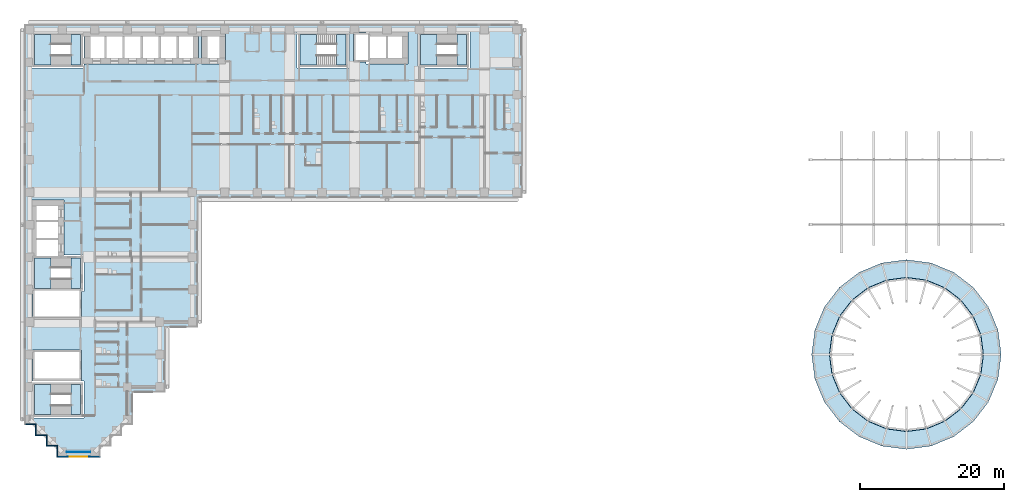
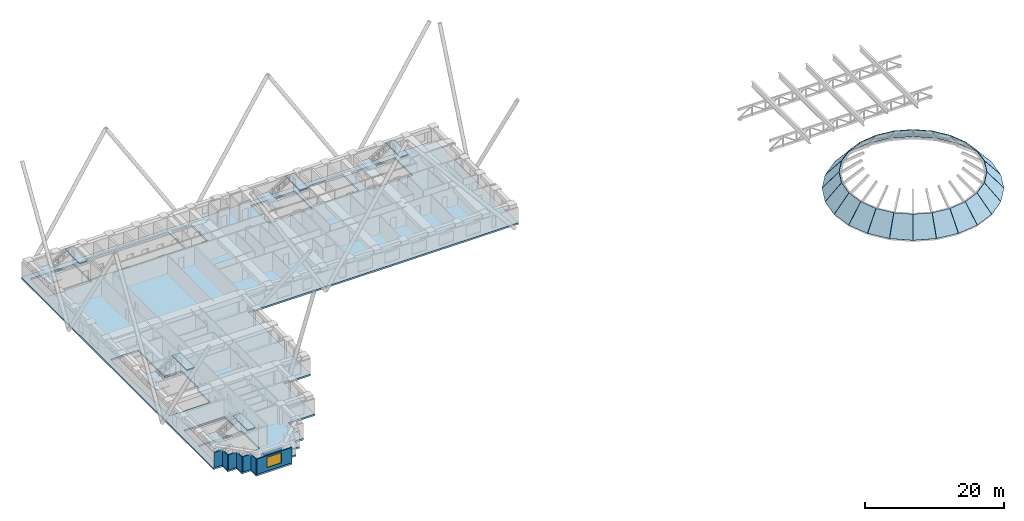
# One storey, part 7 of 20: 35 slabs, 8 walls, 1 window, 1 opening, 5 elements without a shape of their own.
"""IFC4 building model written with IfcOpenShell, lengths in metres."""

from ifc_helpers import new_model, si_unit, direction, frame, frame_2d, origin, place, context, subcontext, project, spatial, polyline, rectangle, outline, extrude, material, layer, layer_set, type_object, element, fill, aggregate, save


model = new_model("IFC4")

# Units and contexts
model_context = context("Model", 3, precision=1e-05, world=origin(), true_north=direction((0.0, 1.0)))
body_context = subcontext(model_context, "Body", "Model", "MODEL_VIEW")
ifc_project = project(units=[si_unit("LENGTHUNIT", "METRE"), si_unit("AREAUNIT", "SQUARE_METRE"), si_unit("VOLUMEUNIT", "CUBIC_METRE"), si_unit("PLANEANGLEUNIT", "RADIAN"), si_unit("MASSUNIT", "GRAM", prefix="KILO")], contexts=[model_context])

# Site, building, storey
site_placement = place(None, origin())
site = spatial("IfcSite", under=ifc_project, at=site_placement, CompositionType="ELEMENT")
building_placement = place(site_placement, origin())
building = spatial("IfcBuilding", under=site, at=building_placement, Name="Firuza Court", CompositionType="ELEMENT")
storey_placement = place(building_placement, frame((0.0, 0.0, 29.0)))
storey = spatial("IfcBuildingStorey", under=building, at=storey_placement, Name="L05", CompositionType="ELEMENT", Elevation=29.0)

# Slabs
ifc_material_1 = material(Name="Concrete C40/50", Category="concrete")
ifc_layer_1 = layer(ifc_material_1, 0.300048828125)
ifc_layer_set_1 = layer_set([ifc_layer_1], Name="Concrete C40/50")
slab_type_1 = type_object("IfcSlabType", Name="Floor slab 300 C40/50", PredefinedType="FLOOR", material=ifc_layer_set_1)
slab_1_placement = place(storey_placement, frame((0.0, 0.0, -0.300048828125)))
element("IfcSlab", 1, at=slab_1_placement, inside=storey, type_object=slab_type_1, Name="Floor slab L05", PredefinedType="FLOOR", context=body_context, shape_type="SweptSolid", body=[
    extrude(outline(polyline([(3.75, -0.75), (3.75, 0.75), (2.25, 0.75), (2.25, 2.25), (0.75, 2.25), (0.75, 3.75), (-0.75, 3.75), (-0.75, 59.25), (68.25, 59.25), (68.25, 35.25), (23.25, 35.25), (23.25, 17.25), (18.75, 17.25), (18.75, 8.25), (14.25, 8.25), (14.25, 3.75), (12.75, 3.75), (12.75, 2.25), (11.25, 2.25), (11.25, 0.75), (9.75, 0.75), (9.75, -0.75), (3.75, -0.75)]), holes=[polyline([(7.5, 9.800048828125), (0.199951171875, 9.800048828125), (0.199951171875, 4.699951171875), (7.5, 4.699951171875), (7.5, 9.800048828125)]), polyline([(7.14990234375, 14.14990234375), (0.35009765625, 14.14990234375), (0.35009765625, 9.85009765625), (7.14990234375, 9.85009765625), (7.14990234375, 14.14990234375)]), polyline([(0.199951171875, 22.199951171875), (0.35009765625, 22.199951171875), (0.35009765625, 18.35009765625), (7.14990234375, 18.35009765625), (7.14990234375, 22.199951171875), (7.5, 22.199951171875), (7.5, 27.300048828125), (4.699951171875, 27.300048828125), (4.699951171875, 29.10009765625), (4.699951171875, 29.89990234375), (4.699951171875, 31.60009765625), (4.699951171875, 32.39990234375), (4.699951171875, 34.89990234375), (0.10009765625, 34.89990234375), (0.10009765625, 32.39990234375), (0.10009765625, 31.60009765625), (0.10009765625, 29.89990234375), (0.10009765625, 29.10009765625), (0.10009765625, 26.60009765625), (0.199951171875, 26.60009765625), (0.199951171875, 22.199951171875)]), polyline([(7.5, 58.300048828125), (0.199951171875, 58.300048828125), (0.199951171875, 53.199951171875), (7.5, 53.199951171875), (7.5, 58.300048828125)]), polyline([(10.10009765625, 58.39990234375), (7.60009765625, 58.39990234375), (7.60009765625, 53.800048828125), (10.10009765625, 53.800048828125), (10.89990234375, 53.800048828125), (12.60009765625, 53.800048828125), (13.39990234375, 53.800048828125), (15.10009765625, 53.800048828125), (15.89990234375, 53.800048828125), (17.60009765625, 53.800048828125), (18.39990234375, 53.800048828125), (20.10009765625, 53.800048828125), (20.89990234375, 53.800048828125), (23.39990234375, 53.800048828125), (23.39990234375, 58.39990234375), (20.89990234375, 58.39990234375), (20.10009765625, 58.39990234375), (18.39990234375, 58.39990234375), (17.60009765625, 58.39990234375), (15.89990234375, 58.39990234375), (15.10009765625, 58.39990234375), (13.39990234375, 58.39990234375), (12.60009765625, 58.39990234375), (10.89990234375, 58.39990234375), (10.10009765625, 58.39990234375)]), polyline([(44.300048828125, 58.300048828125), (37.0, 58.300048828125), (37.0, 53.199951171875), (44.300048828125, 53.199951171875), (44.300048828125, 58.300048828125)]), polyline([(61.0, 58.300048828125), (53.699951171875, 58.300048828125), (53.699951171875, 53.199951171875), (61.0, 53.199951171875), (61.0, 58.300048828125)]), polyline([(27.10009765625, 58.39990234375), (23.800048828125, 58.39990234375), (23.800048828125, 53.800048828125), (27.10009765625, 53.800048828125), (27.10009765625, 58.39990234375)]), polyline([(46.60009765625, 58.14990234375), (44.85009765625, 58.14990234375), (44.85009765625, 54.050048828125), (46.60009765625, 54.050048828125), (46.60009765625, 53.800048828125), (49.10009765625, 53.800048828125), (49.89990234375, 53.800048828125), (52.39990234375, 53.800048828125), (52.39990234375, 58.39990234375), (49.89990234375, 58.39990234375), (49.10009765625, 58.39990234375), (46.60009765625, 58.39990234375), (46.60009765625, 58.14990234375)])]), origin(), (0.0, 0.0, 1.0), 0.300048828125),
])
ifc_material_2 = material(Name="Steel S355", Category="steel")
ifc_layer_2 = layer(ifc_material_2, 0.080078125)
ifc_material_3 = material(Name="Ceramic tile", Category="ceramic")
ifc_layer_3 = layer(ifc_material_3, 0.02001953125)
ifc_layer_set_2 = layer_set([ifc_layer_2, ifc_layer_3], Name="Steel S355")
slab_type_2 = type_object("IfcSlabType", Name="HALL DOME PANEL 100", PredefinedType="ROOF", material=ifc_layer_set_2)
slab_2_placement = place(storey_placement, frame((134.63916015625, 13.510009765625, 0.621337890625), z_axis=(0.760146925438, 0.100082325297, 0.641997024846), x_axis=(-0.645236511294, -1.870931e-06, 0.763982882328)))
element("IfcSlab", 2, at=slab_2_placement, inside=storey, type_object=slab_type_2, Name="Dome roof panel 1.1", PredefinedType="ROOF", context=body_context, shape_type="SweptSolid", body=[
    extrude(outline(polyline([(0.0, 0.0), (3.8171194959320127, -2.7755575615628914e-17), (4.050256461555315, -2.757504913404332), (0.2871680296792395, -3.3981585227188598), (0.0, 0.0)])), origin(), (0.0, 0.0, -1.0), 0.10009765625),
])
slab_3_placement = place(storey_placement, frame((134.18896484375, 16.910400390625, 0.621337890625), z_axis=(0.708339851681, 0.293384088124, 0.642012796879), x_axis=(-0.623267661838, -0.166993820454, 0.763970212532)))
element("IfcSlab", 3, at=slab_3_placement, inside=storey, type_object=slab_type_2, Name="Dome roof panel 1.2", PredefinedType="ROOF", context=body_context, shape_type="SweptSolid", body=[
    extrude(outline(polyline([(0.0, 0.0), (3.817233500615017, -8.326672684688674e-17), (4.050270501449582, -2.7571714527879085), (0.2871851561441, -3.3980686719132294), (0.0, 0.0)])), origin(), (0.0, 0.0, -1.0), 0.10009765625),
])
slab_4_placement = place(storey_placement, frame((132.8740234375, 20.078369140625, 0.621337890625), z_axis=(0.60826118731, 0.466755770117, 0.641994843495), x_axis=(-0.558770225352, -0.3226463791, 0.763986354141)))
element("IfcSlab", 4, at=slab_4_placement, inside=storey, type_object=slab_type_2, Name="Dome roof panel 1.3", PredefinedType="ROOF", context=body_context, shape_type="SweptSolid", body=[
    extrude(outline(polyline([(0.0, 0.0), (3.8172713480651295, -1.6653345369377348e-16), (4.050170680995732, -2.757535853578586), (0.2872405931610955, -3.3980510649738447), (0.0, 0.0)])), origin(), (0.0, 0.0, -1.0), 0.10009765625),
])
slab_5_placement = place(storey_placement, frame((130.78369140625, 22.7978515625, 0.621337890625), z_axis=(0.466755770117, 0.60826118731, 0.641994843495), x_axis=(-0.456246013938, -0.456250832997, 0.763986094216)))
element("IfcSlab", 5, at=slab_5_placement, inside=storey, type_object=slab_type_2, Name="Dome roof panel 1.4", PredefinedType="ROOF", context=body_context, shape_type="SweptSolid", body=[
    extrude(outline(polyline([(0.0, 0.0), (3.8170541759267573, 5.551115123125783e-17), (4.050181533268407, -2.7575165853190797), (0.2870373526973159, -3.398068238968419), (0.0, 0.0)])), origin(), (0.0, 0.0, -1.0), 0.10009765625),
])
slab_6_placement = place(storey_placement, frame((128.06103515625, 24.884033203125, 0.621337890625), z_axis=(0.293384088124, 0.708339851681, 0.642012796879), x_axis=(-0.322661426488, -0.558788893141, 0.763966345305)))
element("IfcSlab", 6, at=slab_6_placement, inside=storey, type_object=slab_type_2, Name="Dome roof panel 1.5", PredefinedType="ROOF", context=body_context, shape_type="SweptSolid", body=[
    extrude(outline(polyline([(0.0, 0.0), (3.8172713502625726, -1.3877787807814457e-16), (4.050455033661913, -2.7571590512015933), (0.28740700072984493, -3.3980499155955792), (0.0, 0.0)])), origin(), (0.0, 0.0, -1.0), 0.10009765625),
])
slab_7_placement = place(storey_placement, frame((124.89111328125, 26.194091796875, 0.621337890625), z_axis=(0.100082325297, 0.760146925438, 0.641997024846), x_axis=(-0.166991102408, -0.623251406785, 0.763984067672)))
element("IfcSlab", 7, at=slab_7_placement, inside=storey, type_object=slab_type_2, Name="Dome roof panel 1.6", PredefinedType="ROOF", context=body_context, shape_type="SweptSolid", body=[
    extrude(outline(polyline([(0.0, 0.0), (3.8172334999639816, 1.942890293094024e-16), (4.050200767254202, -2.7575192555194246), (0.2872247223342545, -3.398153731318919), (0.0, 0.0)])), origin(), (0.0, 0.0, -1.0), 0.10009765625),
])
slab_8_placement = place(storey_placement, frame((121.489990234375, 26.63916015625, 0.621337890625), z_axis=(-0.100082325297, 0.760146925438, 0.641997024846), x_axis=(1.870931e-06, -0.645236511294, 0.763982882328)))
element("IfcSlab", 8, at=slab_8_placement, inside=storey, type_object=slab_type_2, Name="Dome roof panel 1.7", PredefinedType="ROOF", context=body_context, shape_type="SweptSolid", body=[
    extrude(outline(polyline([(0.0, 0.0), (3.8171194959320127, -2.7755575615628914e-17), (4.050256461555315, -2.757504913404332), (0.2871680296792395, -3.3981585227188598), (0.0, 0.0)])), origin(), (0.0, 0.0, -1.0), 0.10009765625),
])
slab_9_placement = place(storey_placement, frame((118.089599609375, 26.18896484375, 0.621337890625), z_axis=(-0.293384088124, 0.708339851681, 0.642012796879), x_axis=(0.166993820454, -0.623267661838, 0.763970212532)))
element("IfcSlab", 9, at=slab_9_placement, inside=storey, type_object=slab_type_2, Name="Dome roof panel 1.8", PredefinedType="ROOF", context=body_context, shape_type="SweptSolid", body=[
    extrude(outline(polyline([(0.0, 0.0), (3.817233500615017, -8.326672684688674e-17), (4.050270501449582, -2.7571714527879085), (0.2871851561441, -3.3980686719132294), (0.0, 0.0)])), origin(), (0.0, 0.0, -1.0), 0.10009765625),
])
slab_10_placement = place(storey_placement, frame((114.921630859375, 24.8740234375, 0.621337890625), z_axis=(-0.466755770117, 0.60826118731, 0.641994843495), x_axis=(0.3226463791, -0.558770225352, 0.763986354141)))
element("IfcSlab", 10, at=slab_10_placement, inside=storey, type_object=slab_type_2, Name="Dome roof panel 1.9", PredefinedType="ROOF", context=body_context, shape_type="SweptSolid", body=[
    extrude(outline(polyline([(0.0, 0.0), (3.8172713480651295, -1.6653345369377348e-16), (4.050170680995732, -2.757535853578586), (0.2872405931610955, -3.3980510649738447), (0.0, 0.0)])), origin(), (0.0, 0.0, -1.0), 0.10009765625),
])
slab_11_placement = place(storey_placement, frame((112.2021484375, 22.78369140625, 0.621337890625), z_axis=(-0.60826118731, 0.466755770117, 0.641994843495), x_axis=(0.456250832997, -0.456246013938, 0.763986094216)))
element("IfcSlab", 11, at=slab_11_placement, inside=storey, type_object=slab_type_2, Name="Dome roof panel 1.10", PredefinedType="ROOF", context=body_context, shape_type="SweptSolid", body=[
    extrude(outline(polyline([(0.0, 0.0), (3.8170541759267573, 5.551115123125783e-17), (4.050181533268407, -2.7575165853190797), (0.2870373526973159, -3.398068238968419), (0.0, 0.0)])), origin(), (0.0, 0.0, -1.0), 0.10009765625),
])
slab_12_placement = place(storey_placement, frame((110.115966796875, 20.06103515625, 0.621337890625), z_axis=(-0.708339851681, 0.293384088124, 0.642012796879), x_axis=(0.558788893141, -0.322661426488, 0.763966345305)))
element("IfcSlab", 12, at=slab_12_placement, inside=storey, type_object=slab_type_2, Name="Dome roof panel 1.11", PredefinedType="ROOF", context=body_context, shape_type="SweptSolid", body=[
    extrude(outline(polyline([(0.0, 0.0), (3.8172713502625726, -1.3877787807814457e-16), (4.050455033661913, -2.7571590512015933), (0.28740700072984493, -3.3980499155955792), (0.0, 0.0)])), origin(), (0.0, 0.0, -1.0), 0.10009765625),
])
slab_13_placement = place(storey_placement, frame((108.805908203125, 16.89111328125, 0.621337890625), z_axis=(-0.760146925438, 0.100082325297, 0.641997024846), x_axis=(0.623251406785, -0.166991102408, 0.763984067672)))
element("IfcSlab", 13, at=slab_13_placement, inside=storey, type_object=slab_type_2, Name="Dome roof panel 1.12", PredefinedType="ROOF", context=body_context, shape_type="SweptSolid", body=[
    extrude(outline(polyline([(0.0, 0.0), (3.8172334999639816, 1.942890293094024e-16), (4.050200767254202, -2.7575192555194246), (0.2872247223342545, -3.398153731318919), (0.0, 0.0)])), origin(), (0.0, 0.0, -1.0), 0.10009765625),
])
slab_14_placement = place(storey_placement, frame((108.36083984375, 13.489990234375, 0.621337890625), z_axis=(-0.760146925438, -0.100082325297, 0.641997024846), x_axis=(0.645236511294, 1.870931e-06, 0.763982882328)))
element("IfcSlab", 14, at=slab_14_placement, inside=storey, type_object=slab_type_2, Name="Dome roof panel 1.13", PredefinedType="ROOF", context=body_context, shape_type="SweptSolid", body=[
    extrude(outline(polyline([(0.0, 0.0), (3.8171194959320127, -2.7755575615628914e-17), (4.050256461555315, -2.757504913404332), (0.2871680296792395, -3.3981585227188598), (0.0, 0.0)])), origin(), (0.0, 0.0, -1.0), 0.10009765625),
])
slab_15_placement = place(storey_placement, frame((108.81103515625, 10.089599609375, 0.621337890625), z_axis=(-0.708339851681, -0.293384088124, 0.642012796879), x_axis=(0.623267661838, 0.166993820454, 0.763970212532)))
element("IfcSlab", 15, at=slab_15_placement, inside=storey, type_object=slab_type_2, Name="Dome roof panel 1.14", PredefinedType="ROOF", context=body_context, shape_type="SweptSolid", body=[
    extrude(outline(polyline([(0.0, 0.0), (3.817233500615017, -8.326672684688674e-17), (4.050270501449582, -2.7571714527879085), (0.2871851561441, -3.3980686719132294), (0.0, 0.0)])), origin(), (0.0, 0.0, -1.0), 0.10009765625),
])
slab_16_placement = place(storey_placement, frame((110.1259765625, 6.921630859375, 0.621337890625), z_axis=(-0.60826118731, -0.466755770117, 0.641994843495), x_axis=(0.558770225352, 0.3226463791, 0.763986354141)))
element("IfcSlab", 16, at=slab_16_placement, inside=storey, type_object=slab_type_2, Name="Dome roof panel 1.15", PredefinedType="ROOF", context=body_context, shape_type="SweptSolid", body=[
    extrude(outline(polyline([(0.0, 0.0), (3.8172713480651295, -1.6653345369377348e-16), (4.050170680995732, -2.757535853578586), (0.2872405931610955, -3.3980510649738447), (0.0, 0.0)])), origin(), (0.0, 0.0, -1.0), 0.10009765625),
])
slab_17_placement = place(storey_placement, frame((112.21630859375, 4.2021484375, 0.621337890625), z_axis=(-0.466755770117, -0.60826118731, 0.641994843495), x_axis=(0.456246013938, 0.456250832997, 0.763986094216)))
element("IfcSlab", 17, at=slab_17_placement, inside=storey, type_object=slab_type_2, Name="Dome roof panel 1.16", PredefinedType="ROOF", context=body_context, shape_type="SweptSolid", body=[
    extrude(outline(polyline([(0.0, 0.0), (3.8170541759267573, 5.551115123125783e-17), (4.050181533268407, -2.7575165853190797), (0.2870373526973159, -3.398068238968419), (0.0, 0.0)])), origin(), (0.0, 0.0, -1.0), 0.10009765625),
])
slab_18_placement = place(storey_placement, frame((114.93896484375, 2.115966796875, 0.621337890625), z_axis=(-0.293384088124, -0.708339851681, 0.642012796879), x_axis=(0.322661426488, 0.558788893141, 0.763966345305)))
element("IfcSlab", 18, at=slab_18_placement, inside=storey, type_object=slab_type_2, Name="Dome roof panel 1.17", PredefinedType="ROOF", context=body_context, shape_type="SweptSolid", body=[
    extrude(outline(polyline([(0.0, 0.0), (3.8172713502625726, -1.3877787807814457e-16), (4.050455033661913, -2.7571590512015933), (0.28740700072984493, -3.3980499155955792), (0.0, 0.0)])), origin(), (0.0, 0.0, -1.0), 0.10009765625),
])
slab_19_placement = place(storey_placement, frame((118.10888671875, 0.805908203125, 0.621337890625), z_axis=(-0.100082325297, -0.760146925438, 0.641997024846), x_axis=(0.166991102408, 0.623251406785, 0.763984067672)))
element("IfcSlab", 19, at=slab_19_placement, inside=storey, type_object=slab_type_2, Name="Dome roof panel 1.18", PredefinedType="ROOF", context=body_context, shape_type="SweptSolid", body=[
    extrude(outline(polyline([(0.0, 0.0), (3.8172334999639816, 1.942890293094024e-16), (4.050200767254202, -2.7575192555194246), (0.2872247223342545, -3.398153731318919), (0.0, 0.0)])), origin(), (0.0, 0.0, -1.0), 0.10009765625),
])
slab_20_placement = place(storey_placement, frame((121.510009765625, 0.36083984375, 0.621337890625), z_axis=(0.100082325297, -0.760146925438, 0.641997024846), x_axis=(-1.870931e-06, 0.645236511294, 0.763982882328)))
element("IfcSlab", 20, at=slab_20_placement, inside=storey, type_object=slab_type_2, Name="Dome roof panel 1.19", PredefinedType="ROOF", context=body_context, shape_type="SweptSolid", body=[
    extrude(outline(polyline([(0.0, 0.0), (3.8171194959320127, -2.7755575615628914e-17), (4.050256461555315, -2.757504913404332), (0.2871680296792395, -3.3981585227188598), (0.0, 0.0)])), origin(), (0.0, 0.0, -1.0), 0.10009765625),
])
slab_21_placement = place(storey_placement, frame((124.910400390625, 0.81103515625, 0.621337890625), z_axis=(0.293384088124, -0.708339851681, 0.642012796879), x_axis=(-0.166993820454, 0.623267661838, 0.763970212532)))
element("IfcSlab", 21, at=slab_21_placement, inside=storey, type_object=slab_type_2, Name="Dome roof panel 1.20", PredefinedType="ROOF", context=body_context, shape_type="SweptSolid", body=[
    extrude(outline(polyline([(0.0, 0.0), (3.817233500615017, -8.326672684688674e-17), (4.050270501449582, -2.7571714527879085), (0.2871851561441, -3.3980686719132294), (0.0, 0.0)])), origin(), (0.0, 0.0, -1.0), 0.10009765625),
])
slab_22_placement = place(storey_placement, frame((128.078369140625, 2.1259765625, 0.621337890625), z_axis=(0.466755770117, -0.60826118731, 0.641994843495), x_axis=(-0.3226463791, 0.558770225352, 0.763986354141)))
element("IfcSlab", 22, at=slab_22_placement, inside=storey, type_object=slab_type_2, Name="Dome roof panel 1.21", PredefinedType="ROOF", context=body_context, shape_type="SweptSolid", body=[
    extrude(outline(polyline([(0.0, 0.0), (3.8172713480651295, -1.6653345369377348e-16), (4.050170680995732, -2.757535853578586), (0.2872405931610955, -3.3980510649738447), (0.0, 0.0)])), origin(), (0.0, 0.0, -1.0), 0.10009765625),
])
slab_23_placement = place(storey_placement, frame((130.7978515625, 4.21630859375, 0.621337890625), z_axis=(0.60826118731, -0.466755770117, 0.641994843495), x_axis=(-0.456250832997, 0.456246013938, 0.763986094216)))
element("IfcSlab", 23, at=slab_23_placement, inside=storey, type_object=slab_type_2, Name="Dome roof panel 1.22", PredefinedType="ROOF", context=body_context, shape_type="SweptSolid", body=[
    extrude(outline(polyline([(0.0, 0.0), (3.8170541759267573, 5.551115123125783e-17), (4.050181533268407, -2.7575165853190797), (0.2870373526973159, -3.398068238968419), (0.0, 0.0)])), origin(), (0.0, 0.0, -1.0), 0.10009765625),
])
slab_24_placement = place(storey_placement, frame((132.884033203125, 6.93896484375, 0.621337890625), z_axis=(0.708339851681, -0.293384088124, 0.642012796879), x_axis=(-0.558788893141, 0.322661426488, 0.763966345305)))
element("IfcSlab", 24, at=slab_24_placement, inside=storey, type_object=slab_type_2, Name="Dome roof panel 1.23", PredefinedType="ROOF", context=body_context, shape_type="SweptSolid", body=[
    extrude(outline(polyline([(0.0, 0.0), (3.8172713502625726, -1.3877787807814457e-16), (4.050455033661913, -2.7571590512015933), (0.28740700072984493, -3.3980499155955792), (0.0, 0.0)])), origin(), (0.0, 0.0, -1.0), 0.10009765625),
])
slab_25_placement = place(storey_placement, frame((134.194091796875, 10.10888671875, 0.621337890625), z_axis=(0.760146925438, -0.100082325297, 0.641997024846), x_axis=(-0.623251406785, 0.166991102408, 0.763984067672)))
element("IfcSlab", 25, at=slab_25_placement, inside=storey, type_object=slab_type_2, Name="Dome roof panel 1.24", PredefinedType="ROOF", context=body_context, shape_type="SweptSolid", body=[
    extrude(outline(polyline([(0.0, 0.0), (3.8172334999639816, 1.942890293094024e-16), (4.050200767254202, -2.7575192555194246), (0.2872247223342545, -3.398153731318919), (0.0, 0.0)])), origin(), (0.0, 0.0, -1.0), 0.10009765625),
])

# Stair, slabs
ifc_material_4 = material(Name="Concrete C40/50 precast", Category="concrete")
stair_type = type_object("IfcStairType", Name="Stair 1350 x 3600 2 flights", PredefinedType="HALF_TURN_STAIR", material=ifc_material_4)
stair_1_placement = place(storey_placement, origin())
stair_1 = element("IfcStair", 26, at=stair_1_placement, inside=storey, type_object=stair_type, Name="Stair 1 L05", PredefinedType="HALF_TURN_STAIR")
ifc_material_5 = material(Name="Concrete C40/50 precast", Category="concrete")
ifc_layer_4 = layer(ifc_material_5, 0.199951171875)
ifc_layer_set_3 = layer_set([ifc_layer_4], Name="Concrete C40/50 precast")
slab_type_3 = type_object("IfcSlabType", Name="Stair landing 200", PredefinedType="LANDING", material=ifc_layer_set_3)
slab_26_placement = place(storey_placement, frame((0.0, 0.0, 1.60009765625)))
slab_26 = element("IfcSlab", 27, at=slab_26_placement, type_object=slab_type_3, Name="S1 landing 1", PredefinedType="LANDING", context=body_context, shape_type="SweptSolid", body=[
    extrude(outline(polyline([(39.699951171875, 53.64990234375), (39.699951171875, 57.85009765625), (37.449951171875, 57.85009765625), (37.449951171875, 53.64990234375), (39.699951171875, 53.64990234375)])), origin(), (0.0, 0.0, 1.0), 0.199951171875),
])
slab_27_placement = place(storey_placement, frame((0.0, 0.0, 3.39990234375)))
slab_27 = element("IfcSlab", 28, at=slab_27_placement, type_object=slab_type_3, Name="S1 landing 2", PredefinedType="LANDING", context=body_context, shape_type="SweptSolid", body=[
    extrude(outline(polyline([(43.85009765625, 53.64990234375), (43.85009765625, 57.85009765625), (42.5, 57.85009765625), (42.5, 53.64990234375), (43.85009765625, 53.64990234375)])), origin(), (0.0, 0.0, 1.0), 0.2001953125),
])
aggregate(stair_1, [slab_26, slab_27])

stair_2_placement = place(storey_placement, origin())
stair_2 = element("IfcStair", 29, at=stair_2_placement, inside=storey, type_object=stair_type, Name="Stair 2 L05", PredefinedType="HALF_TURN_STAIR")
slab_28_placement = place(storey_placement, frame((0.0, 0.0, 1.60009765625)))
slab_28 = element("IfcSlab", 30, at=slab_28_placement, type_object=slab_type_3, Name="S2 landing 1", PredefinedType="LANDING", context=body_context, shape_type="SweptSolid", body=[
    extrude(outline(polyline([(2.89990234375, 22.64990234375), (2.89990234375, 26.85009765625), (0.64990234375, 26.85009765625), (0.64990234375, 22.64990234375), (2.89990234375, 22.64990234375)])), origin(), (0.0, 0.0, 1.0), 0.199951171875),
])
slab_29_placement = place(storey_placement, frame((0.0, 0.0, 3.39990234375)))
slab_29 = element("IfcSlab", 31, at=slab_29_placement, type_object=slab_type_3, Name="S2 landing 2", PredefinedType="LANDING", context=body_context, shape_type="SweptSolid", body=[
    extrude(outline(polyline([(7.050048828125, 22.64990234375), (7.050048828125, 26.85009765625), (5.699951171875, 26.85009765625), (5.699951171875, 22.64990234375), (7.050048828125, 22.64990234375)])), origin(), (0.0, 0.0, 1.0), 0.2001953125),
])
aggregate(stair_2, [slab_28, slab_29])

stair_3_placement = place(storey_placement, origin())
stair_3 = element("IfcStair", 32, at=stair_3_placement, inside=storey, type_object=stair_type, Name="Stair 3 L05", PredefinedType="HALF_TURN_STAIR")
slab_30_placement = place(storey_placement, frame((0.0, 0.0, 1.60009765625)))
slab_30 = element("IfcSlab", 33, at=slab_30_placement, type_object=slab_type_3, Name="S3 landing 1", PredefinedType="LANDING", context=body_context, shape_type="SweptSolid", body=[
    extrude(outline(polyline([(2.89990234375, 53.64990234375), (2.89990234375, 57.85009765625), (0.64990234375, 57.85009765625), (0.64990234375, 53.64990234375), (2.89990234375, 53.64990234375)])), origin(), (0.0, 0.0, 1.0), 0.199951171875),
])
slab_31_placement = place(storey_placement, frame((0.0, 0.0, 3.39990234375)))
slab_31 = element("IfcSlab", 34, at=slab_31_placement, type_object=slab_type_3, Name="S3 landing 2", PredefinedType="LANDING", context=body_context, shape_type="SweptSolid", body=[
    extrude(outline(polyline([(7.050048828125, 53.64990234375), (7.050048828125, 57.85009765625), (5.699951171875, 57.85009765625), (5.699951171875, 53.64990234375), (7.050048828125, 53.64990234375)])), origin(), (0.0, 0.0, 1.0), 0.2001953125),
])
aggregate(stair_3, [slab_30, slab_31])

stair_4_placement = place(storey_placement, origin())
stair_4 = element("IfcStair", 35, at=stair_4_placement, inside=storey, type_object=stair_type, Name="Stair 4 L05", PredefinedType="HALF_TURN_STAIR")
slab_32_placement = place(storey_placement, frame((0.0, 0.0, 1.60009765625)))
slab_32 = element("IfcSlab", 36, at=slab_32_placement, type_object=slab_type_3, Name="S4 landing 1", PredefinedType="LANDING", context=body_context, shape_type="SweptSolid", body=[
    extrude(outline(polyline([(56.39990234375, 53.64990234375), (56.39990234375, 57.85009765625), (54.14990234375, 57.85009765625), (54.14990234375, 53.64990234375), (56.39990234375, 53.64990234375)])), origin(), (0.0, 0.0, 1.0), 0.199951171875),
])
slab_33_placement = place(storey_placement, frame((0.0, 0.0, 3.39990234375)))
slab_33 = element("IfcSlab", 37, at=slab_33_placement, type_object=slab_type_3, Name="S4 landing 2", PredefinedType="LANDING", context=body_context, shape_type="SweptSolid", body=[
    extrude(outline(polyline([(60.550048828125, 53.64990234375), (60.550048828125, 57.85009765625), (59.199951171875, 57.85009765625), (59.199951171875, 53.64990234375), (60.550048828125, 53.64990234375)])), origin(), (0.0, 0.0, 1.0), 0.2001953125),
])
aggregate(stair_4, [slab_32, slab_33])

stair_5_placement = place(storey_placement, origin())
stair_5 = element("IfcStair", 38, at=stair_5_placement, inside=storey, type_object=stair_type, Name="Stair 5 L05", PredefinedType="HALF_TURN_STAIR")
slab_34_placement = place(storey_placement, frame((0.0, 0.0, 1.60009765625)))
slab_34 = element("IfcSlab", 39, at=slab_34_placement, type_object=slab_type_3, Name="S5 landing 1", PredefinedType="LANDING", context=body_context, shape_type="SweptSolid", body=[
    extrude(outline(polyline([(2.89990234375, 5.14990234375), (2.89990234375, 9.35009765625), (0.64990234375, 9.35009765625), (0.64990234375, 5.14990234375), (2.89990234375, 5.14990234375)])), origin(), (0.0, 0.0, 1.0), 0.199951171875),
])
slab_35_placement = place(storey_placement, frame((0.0, 0.0, 3.39990234375)))
slab_35 = element("IfcSlab", 40, at=slab_35_placement, type_object=slab_type_3, Name="S5 landing 2", PredefinedType="LANDING", context=body_context, shape_type="SweptSolid", body=[
    extrude(outline(polyline([(7.050048828125, 5.14990234375), (7.050048828125, 9.35009765625), (5.699951171875, 9.35009765625), (5.699951171875, 5.14990234375), (7.050048828125, 5.14990234375)])), origin(), (0.0, 0.0, 1.0), 0.2001953125),
])
aggregate(stair_5, [slab_34, slab_35])

# Walls
ifc_material_6 = material(Name="Timber stud partition, plasterboard both sides", Category="wood")
ifc_layer_5 = layer(ifc_material_6, 0.10009765625)
ifc_layer_set_4 = layer_set([ifc_layer_5], Name="Timber stud partition, plasterboard both sides")
wall_type_1 = type_object("IfcWallType", Name="Partition wall 100", PredefinedType="PARTITIONING", material=ifc_layer_set_4)
wall_1_placement = place(storey_placement, frame((5.10009765625, 0.0, 0.0), z_axis=(0.0, 0.0, 1.0), x_axis=(1.0, 0.0, 0.0)))
element("IfcWall", 41, at=wall_1_placement, inside=storey, type_object=wall_type_1, Name="Partition wall 100 L05", PredefinedType="PARTITIONING", context=body_context, shape_type="SweptSolid", body=[
    extrude(rectangle(XDim=3.2998046875, YDim=0.10009765625, at=frame_2d((1.64990234375, 0.0))), origin(), (0.0, 0.0, 1.0), 2.699951171875),
])
ifc_layer_6 = layer(ifc_material_3, 0.02001953125)
ifc_material_7 = material(Name="Mineral wool insulation", Category="insulation")
ifc_layer_7 = layer(ifc_material_7, 0.050048828125)
ifc_layer_8 = layer(ifc_material_5, 0.080078125)
ifc_layer_set_5 = layer_set([ifc_layer_6, ifc_layer_7, ifc_layer_8], Name="Concrete C40/50 precast")
wall_type_2 = type_object("IfcWallType", Name="Precast cladding wall with turquoise TILE PANEL face 150", PredefinedType="STANDARD", material=ifc_layer_set_5)
wall_2_placement = place(storey_placement, frame((-0.60009765625, 3.824951171875, 0.0), z_axis=(0.0, 0.0, 1.0), x_axis=(1.0, 0.0, 0.0)))
element("IfcWall", 42, at=wall_2_placement, inside=storey, type_object=wall_type_2, Name="Facade wall L05 S", PredefinedType="STANDARD", context=body_context, shape_type="SweptSolid", body=[
    extrude(rectangle(XDim=1.35009765625, YDim=0.14990234375, at=frame_2d((0.675048828125, 0.0))), origin(), (0.0, 0.0, 1.0), 2.699951171875),
])
wall_3_placement = place(storey_placement, frame((0.824951171875, 3.89990234375, 0.0), z_axis=(0.0, 0.0, 1.0), x_axis=(0.0, -1.0, 0.0)))
element("IfcWall", 43, at=wall_3_placement, inside=storey, type_object=wall_type_2, Name="Facade wall L05 W", PredefinedType="STANDARD", context=body_context, shape_type="SweptSolid", body=[
    extrude(rectangle(XDim=1.64990234375, YDim=0.14990234375, at=frame_2d((0.824951171875, 0.0))), origin(), (0.0, 0.0, 1.0), 2.699951171875),
])
wall_4_placement = place(storey_placement, frame((0.89990234375, 2.324951171875, 0.0), z_axis=(0.0, 0.0, 1.0), x_axis=(1.0, 0.0, 0.0)))
element("IfcWall", 44, at=wall_4_placement, inside=storey, type_object=wall_type_2, Name="Facade wall L05 S", PredefinedType="STANDARD", context=body_context, shape_type="SweptSolid", body=[
    extrude(rectangle(XDim=1.35009765625, YDim=0.14990234375, at=frame_2d((0.675048828125, 0.0))), origin(), (0.0, 0.0, 1.0), 2.699951171875),
])
wall_5_placement = place(storey_placement, frame((2.324951171875, 2.39990234375, 0.0), z_axis=(0.0, 0.0, 1.0), x_axis=(0.0, -1.0, 0.0)))
element("IfcWall", 45, at=wall_5_placement, inside=storey, type_object=wall_type_2, Name="Facade wall L05 W", PredefinedType="STANDARD", context=body_context, shape_type="SweptSolid", body=[
    extrude(rectangle(XDim=1.64990234375, YDim=0.14990234375, at=frame_2d((0.824951171875, 0.0))), origin(), (0.0, 0.0, 1.0), 2.699951171875),
])
wall_6_placement = place(storey_placement, frame((2.39990234375, 0.824951171875, 0.0), z_axis=(0.0, 0.0, 1.0), x_axis=(1.0, 0.0, 0.0)))
element("IfcWall", 46, at=wall_6_placement, inside=storey, type_object=wall_type_2, Name="Facade wall L05 S", PredefinedType="STANDARD", context=body_context, shape_type="SweptSolid", body=[
    extrude(rectangle(XDim=1.35009765625, YDim=0.14990234375, at=frame_2d((0.675048828125, 0.0))), origin(), (0.0, 0.0, 1.0), 2.699951171875),
])
wall_7_placement = place(storey_placement, frame((3.824951171875, 0.89990234375, 0.0), z_axis=(0.0, 0.0, 1.0), x_axis=(0.0, -1.0, 0.0)))
element("IfcWall", 47, at=wall_7_placement, inside=storey, type_object=wall_type_2, Name="Facade wall L05 W", PredefinedType="STANDARD", context=body_context, shape_type="SweptSolid", body=[
    extrude(rectangle(XDim=1.64990234375, YDim=0.14990234375, at=frame_2d((0.824951171875, 0.0))), origin(), (0.0, 0.0, 1.0), 2.699951171875),
])

# Wall, opening, window
wall_8_placement = place(storey_placement, frame((3.89990234375, -0.675048828125, 0.0), z_axis=(0.0, 0.0, 1.0), x_axis=(1.0, 0.0, 0.0)))
wall_8 = element("IfcWall", 48, at=wall_8_placement, inside=storey, type_object=wall_type_2, Name="Facade wall L05 S", PredefinedType="STANDARD", context=body_context, shape_type="SweptSolid", body=[
    extrude(rectangle(XDim=5.85009765625, YDim=0.14990234375, at=frame_2d((2.925048828125, 0.0))), origin(), (0.0, 0.0, 1.0), 2.699951171875),
])
opening_placement = place(wall_8_placement, frame((1.64990234375, 0.0, 0.60009765625)))
opening = element("IfcOpeningElement", 49, at=opening_placement, cuts=wall_8, Name="Opening W1", PredefinedType="OPENING", context=body_context, shape_type="SweptSolid", body=[
    extrude(rectangle(XDim=2.39990234375, YDim=1.800048828125, at=frame_2d((1.199951171875, 0.89990234375))), frame((0.0, 0.0869140625, 0.0), z_axis=(0.0, -1.0, 0.0), x_axis=(1.0, 0.0, 0.0)), (0.0, 0.0, 1.0), 0.173828125),
])
ifc_material_8 = material(Name="Aluminium frame, triple clear glazing", Category="aluminium")
window_type = type_object("IfcWindowType", Name="Window W1 2400 x 1800", PartitioningType="SINGLE_PANEL", PredefinedType="WINDOW", material=ifc_material_8)
window_placement = place(opening_placement, origin())
window = element("IfcWindow", 50, at=window_placement, inside=storey, type_object=window_type, Name="Window L05", OverallHeight=1.800048828125, OverallWidth=2.39990234375, PartitioningType="SINGLE_PANEL", PredefinedType="WINDOW", context=body_context, shape_type="SweptSolid", body=[
    extrude(rectangle(XDim=2.39990234375, YDim=1.800048828125, at=frame_2d((1.199951171875, 0.89990234375))), frame((0.0, 0.030029296875, 0.0), z_axis=(0.0, -1.0, 0.0), x_axis=(1.0, 0.0, 0.0)), (0.0, 0.0, 1.0), 0.06005859375),
])
fill(opening, window)

save(model, "model.ifc")
